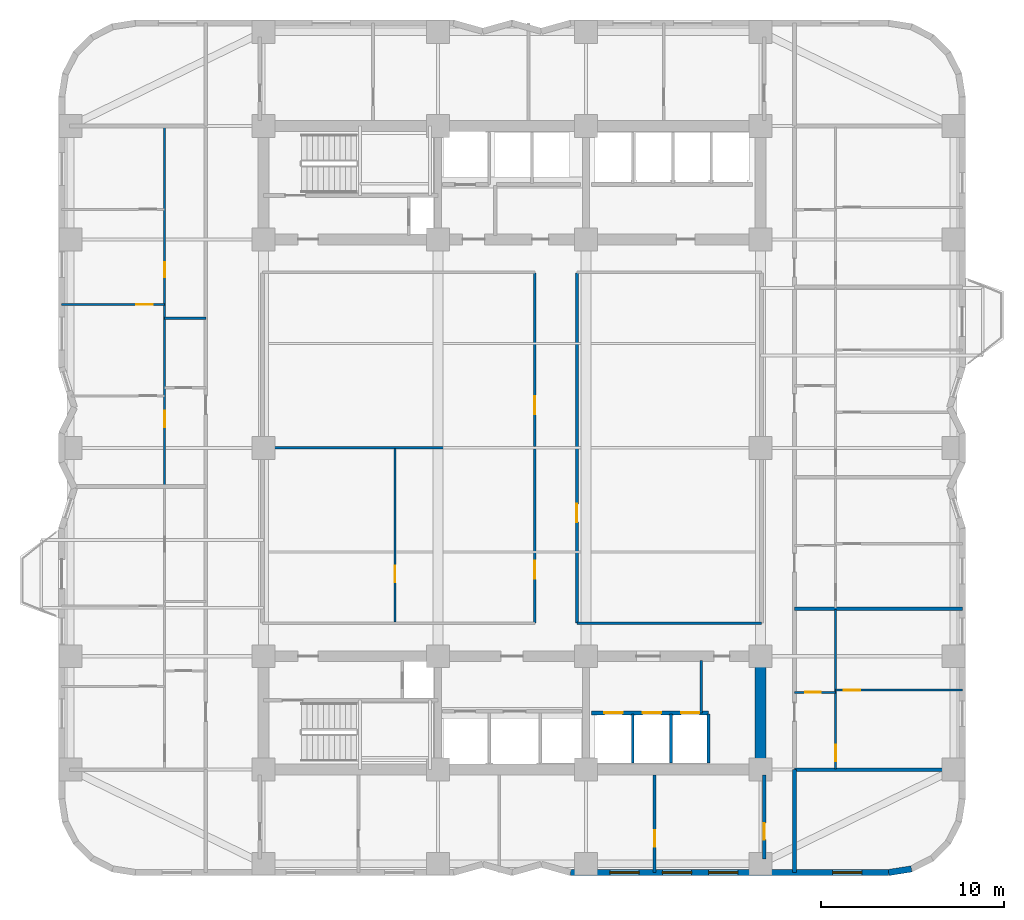
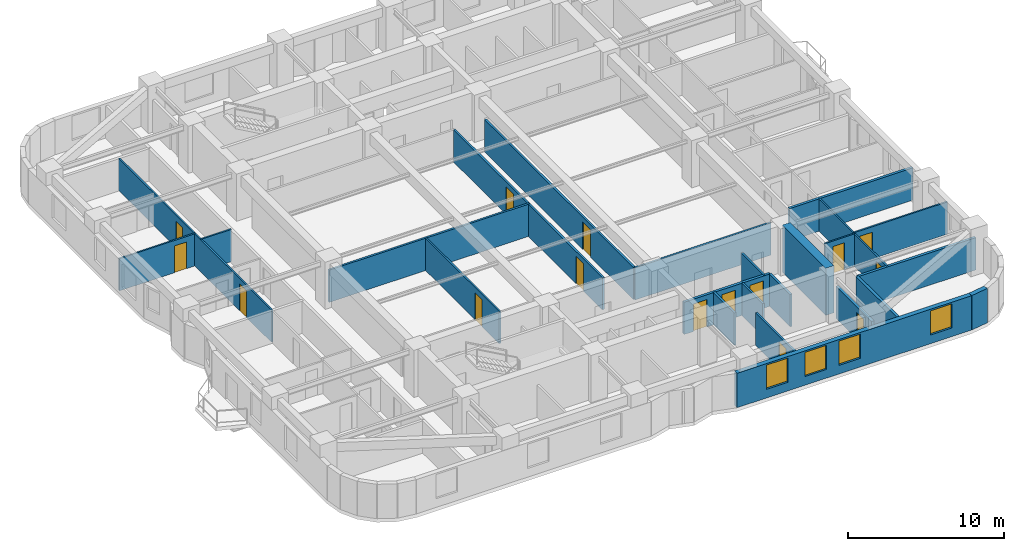
# One storey, part 4 of 9: 24 walls, 15 doors, 4 windows, 19 openings.
"""IFC4 building model written with IfcOpenShell, lengths in metres."""

from ifc_helpers import new_model, si_unit, direction, frame, frame_2d, origin, place, context, subcontext, project, spatial, rectangle, extrude, material, layer, layer_set, type_object, element, fill, save


model = new_model("IFC4")

# Units and contexts
model_context = context("Model", 3, precision=1e-05, world=origin(), true_north=direction((0.0, 1.0)))
body_context = subcontext(model_context, "Body", "Model", "MODEL_VIEW")
ifc_project = project(units=[si_unit("LENGTHUNIT", "METRE"), si_unit("AREAUNIT", "SQUARE_METRE"), si_unit("VOLUMEUNIT", "CUBIC_METRE"), si_unit("PLANEANGLEUNIT", "RADIAN"), si_unit("MASSUNIT", "GRAM", prefix="KILO")], contexts=[model_context])

# Site, building, storey
site_placement = place(None, origin())
site = spatial("IfcSite", under=ifc_project, at=site_placement, CompositionType="ELEMENT")
building_placement = place(site_placement, origin())
building = spatial("IfcBuilding", under=site, at=building_placement, Name="Svetorya Sky Lyceum", CompositionType="ELEMENT")
storey_placement = place(building_placement, frame((0.0, 0.0, 65.800048828125)))
storey = spatial("IfcBuildingStorey", under=building, at=storey_placement, Name="L16", CompositionType="ELEMENT", Elevation=65.800048828125)

# Wall
ifc_material_1 = material(Name="Concrete C60/75", Category="concrete")
ifc_layer_1 = layer(ifc_material_1, 0.60009765625)
ifc_layer_set_1 = layer_set([ifc_layer_1], Name="Concrete C60/75")
wall_type_1 = type_object("IfcWallType", Name="WL-CORE-600", PredefinedType="SHEAR", material=ifc_layer_set_1)
wall_1_placement = place(storey_placement, frame((52.800048828125, 10.89990234375, 0.0), z_axis=(0.0, 0.0, 1.0), x_axis=(0.0, 1.0, 0.0)))
element("IfcWall", 1, at=wall_1_placement, inside=storey, type_object=wall_type_1, Name="L16 SC East Core Shear Wall", PredefinedType="SHEAR", context=body_context, shape_type="SweptSolid", body=[
    extrude(rectangle(XDim=5.60009765625, YDim=0.60009765625, at=frame_2d((2.800048828125, 0.0))), origin(), (0.0, 0.0, 1.0), 3.699951171875),
])

# Wall, openings, windows
ifc_material_2 = material(Name="Putilovo limestone rainscreen on autoclaved cellular masonry", Category="masonry")
ifc_layer_2 = layer(ifc_material_2, 0.340087890625)
ifc_layer_set_2 = layer_set([ifc_layer_2], Name="Putilovo limestone rainscreen on autoclaved cellular masonry")
wall_type_2 = type_object("IfcWallType", Name="WL-EXT-340", PredefinedType="SOLIDWALL", material=ifc_layer_set_2)
wall_2_placement = place(storey_placement, frame((42.39990234375, 4.969970703125, 0.0), z_axis=(0.0, 0.0, 1.0), x_axis=(1.0, 0.0, 0.0)))
wall_2 = element("IfcWall", 2, at=wall_2_placement, inside=storey, type_object=wall_type_2, Name="L16 Limestone Exterior Wall 11M", PredefinedType="SOLIDWALL", context=body_context, shape_type="SweptSolid", body=[
    extrude(rectangle(XDim=17.400146484375, YDim=0.340087890625, at=frame_2d((8.7001953125, 0.0))), origin(), (0.0, 0.0, 1.0), 2.699951171875),
])
opening_1_placement = place(wall_2_placement, frame((2.159912109375, 0.0, 0.679931640625)))
opening_1 = element("IfcOpeningElement", 3, at=opening_1_placement, cuts=wall_2, Name="Opening W-R4", PredefinedType="OPENING", context=body_context, shape_type="SweptSolid", body=[
    extrude(rectangle(XDim=1.60009765625, YDim=1.89990234375, at=frame_2d((0.800048828125, 0.949951171875))), frame((0.0, 0.179931640625, 0.0), z_axis=(0.0, -1.0, 0.0), x_axis=(1.0, 0.0, 0.0)), (0.0, 0.0, 1.0), 0.360107421875),
])
opening_2_placement = place(wall_2_placement, frame((5.030029296875, 0.0, 0.679931640625)))
opening_2 = element("IfcOpeningElement", 4, at=opening_2_placement, cuts=wall_2, Name="Opening W-R4", PredefinedType="OPENING", context=body_context, shape_type="SweptSolid", body=[
    extrude(rectangle(XDim=1.60009765625, YDim=1.89990234375, at=frame_2d((0.800048828125, 0.949951171875))), frame((0.0, 0.179931640625, 0.0), z_axis=(0.0, -1.0, 0.0), x_axis=(1.0, 0.0, 0.0)), (0.0, 0.0, 1.0), 0.360107421875),
])
opening_3_placement = place(wall_2_placement, frame((7.550048828125, 0.0, 0.679931640625)))
opening_3 = element("IfcOpeningElement", 5, at=opening_3_placement, cuts=wall_2, Name="Opening W-R4", PredefinedType="OPENING", context=body_context, shape_type="SweptSolid", body=[
    extrude(rectangle(XDim=1.60009765625, YDim=1.89990234375, at=frame_2d((0.800048828125, 0.949951171875))), frame((0.0, 0.179931640625, 0.0), z_axis=(0.0, -1.0, 0.0), x_axis=(1.0, 0.0, 0.0)), (0.0, 0.0, 1.0), 0.360107421875),
])
opening_4_placement = place(wall_2_placement, frame((14.340087890625, 0.0, 0.679931640625)))
opening_4 = element("IfcOpeningElement", 6, at=opening_4_placement, cuts=wall_2, Name="Opening W-R4", PredefinedType="OPENING", context=body_context, shape_type="SweptSolid", body=[
    extrude(rectangle(XDim=1.60009765625, YDim=1.89990234375, at=frame_2d((0.800048828125, 0.949951171875))), frame((0.0, 0.179931640625, 0.0), z_axis=(0.0, -1.0, 0.0), x_axis=(1.0, 0.0, 0.0)), (0.0, 0.0, 1.0), 0.360107421875),
])
ifc_material_3 = material(Name="Thermally broken aluminium frame with triple low-E glazing", Category="aluminium")
window_type = type_object("IfcWindowType", Name="WN-RES-160", PartitioningType="DOUBLE_PANEL_VERTICAL", PredefinedType="WINDOW", material=ifc_material_3)
window_1_placement = place(opening_1_placement, origin())
window_1 = element("IfcWindow", 7, at=window_1_placement, inside=storey, type_object=window_type, Name="L16 Facade Window W-R4.11M.1", OverallHeight=1.89990234375, OverallWidth=1.60009765625, PartitioningType="SINGLE_PANEL", PredefinedType="WINDOW", context=body_context, shape_type="SweptSolid", body=[
    extrude(rectangle(XDim=1.60009765625, YDim=1.89990234375, at=frame_2d((0.800048828125, 0.949951171875))), frame((0.0, 0.030029296875, 0.0), z_axis=(0.0, -1.0, 0.0), x_axis=(1.0, 0.0, 0.0)), (0.0, 0.0, 1.0), 0.06005859375),
])
fill(opening_1, window_1)
window_2_placement = place(opening_2_placement, origin())
window_2 = element("IfcWindow", 8, at=window_2_placement, inside=storey, type_object=window_type, Name="L16 Facade Window W-R4.11M.2", OverallHeight=1.89990234375, OverallWidth=1.60009765625, PartitioningType="SINGLE_PANEL", PredefinedType="WINDOW", context=body_context, shape_type="SweptSolid", body=[
    extrude(rectangle(XDim=1.60009765625, YDim=1.89990234375, at=frame_2d((0.800048828125, 0.949951171875))), frame((0.0, 0.030029296875, 0.0), z_axis=(0.0, -1.0, 0.0), x_axis=(1.0, 0.0, 0.0)), (0.0, 0.0, 1.0), 0.06005859375),
])
fill(opening_2, window_2)
window_3_placement = place(opening_3_placement, origin())
window_3 = element("IfcWindow", 9, at=window_3_placement, inside=storey, type_object=window_type, Name="L16 Facade Window W-R4.11M.3", OverallHeight=1.89990234375, OverallWidth=1.60009765625, PartitioningType="SINGLE_PANEL", PredefinedType="WINDOW", context=body_context, shape_type="SweptSolid", body=[
    extrude(rectangle(XDim=1.60009765625, YDim=1.89990234375, at=frame_2d((0.800048828125, 0.949951171875))), frame((0.0, 0.030029296875, 0.0), z_axis=(0.0, -1.0, 0.0), x_axis=(1.0, 0.0, 0.0)), (0.0, 0.0, 1.0), 0.06005859375),
])
fill(opening_3, window_3)
window_4_placement = place(opening_4_placement, origin())
window_4 = element("IfcWindow", 10, at=window_4_placement, inside=storey, type_object=window_type, Name="L16 Facade Window W-R4.11M.4", OverallHeight=1.89990234375, OverallWidth=1.60009765625, PartitioningType="SINGLE_PANEL", PredefinedType="WINDOW", context=body_context, shape_type="SweptSolid", body=[
    extrude(rectangle(XDim=1.60009765625, YDim=1.89990234375, at=frame_2d((0.800048828125, 0.949951171875))), frame((0.0, 0.030029296875, 0.0), z_axis=(0.0, -1.0, 0.0), x_axis=(1.0, 0.0, 0.0)), (0.0, 0.0, 1.0), 0.06005859375),
])
fill(opening_4, window_4)

# Wall
wall_3_placement = place(storey_placement, frame((59.800048828125, 4.969970703125, 0.0), z_axis=(0.0, 0.0, 1.0), x_axis=(0.987685918112, 0.15644975923, 0.0)))
element("IfcWall", 11, at=wall_3_placement, inside=storey, type_object=wall_type_2, Name="L16 Limestone Exterior Wall 12M", PredefinedType="SOLIDWALL", context=body_context, shape_type="SweptSolid", body=[
    extrude(rectangle(XDim=1.260986328125, YDim=0.340087890625, at=frame_2d((0.63037109375, 0.0))), origin(), (0.0, 0.0, 1.0), 2.699951171875),
])

# Wall, opening, door
ifc_material_4 = material(Name="Twin-stud galvanized framing with double fireboard", Category="gypsum")
ifc_layer_3 = layer(ifc_material_4, 0.1201171875)
ifc_layer_set_3 = layer_set([ifc_layer_3], Name="Twin-stud galvanized framing with double fireboard")
wall_type_3 = type_object("IfcWallType", Name="WL-PART-120", PredefinedType="PARTITIONING", material=ifc_layer_set_3)
wall_4_placement = place(storey_placement, frame((32.800048828125, 18.659912109375, 0.0), z_axis=(0.0, 0.0, 1.0), x_axis=(0.0, 1.0, 0.0)))
wall_4 = element("IfcWall", 12, at=wall_4_placement, inside=storey, type_object=wall_type_3, Name="L16 Interior Partition CEN-WV1", PredefinedType="PARTITIONING", context=body_context, shape_type="SweptSolid", body=[
    extrude(rectangle(XDim=9.489990234375, YDim=0.1201171875, at=frame_2d((4.7451171875, 0.0))), origin(), (0.0, 0.0, 1.0), 2.530029296875),
])
opening_5_placement = place(wall_4_placement, frame((2.199951171875, 0.0, 0.0)))
opening_5 = element("IfcOpeningElement", 13, at=opening_5_placement, cuts=wall_4, Name="Opening D-RM1", PredefinedType="OPENING", context=body_context, shape_type="SweptSolid", body=[
    extrude(rectangle(XDim=0.89990234375, YDim=2.10009765625, at=frame_2d((0.449951171875, 1.050048828125))), frame((0.0, 0.070068359375, 0.0), z_axis=(0.0, -1.0, 0.0), x_axis=(1.0, 0.0, 0.0)), (0.0, 0.0, 1.0), 0.14013671875),
])
ifc_material_5 = material(Name="Lacquered birch veneer internal door")
door_type_1 = type_object("IfcDoorType", Name="DR-INT-900", OperationType="SINGLE_SWING_LEFT", PredefinedType="DOOR", material=ifc_material_5)
door_1_placement = place(opening_5_placement, origin())
door_1 = element("IfcDoor", 14, at=door_1_placement, inside=storey, type_object=door_type_1, Name="L16 Quiet Study Door", OperationType="SINGLE_SWING_LEFT", OverallHeight=2.10009765625, OverallWidth=0.89990234375, PredefinedType="DOOR", context=body_context, shape_type="SweptSolid", body=[
    extrude(rectangle(XDim=0.89990234375, YDim=2.10009765625, at=frame_2d((0.449951171875, 1.050048828125))), frame((0.0, 0.02490234375, 0.0), z_axis=(0.0, -1.0, 0.0), x_axis=(1.0, 0.0, 0.0)), (0.0, 0.0, 1.0), 0.050048828125),
])
fill(opening_5, door_1)

# Wall
wall_5_placement = place(storey_placement, frame((20.199951171875, 35.2880859375, 0.0), z_axis=(0.0, 0.0, 1.0), x_axis=(1.0, 0.0, 0.0)))
element("IfcWall", 15, at=wall_5_placement, inside=storey, type_object=wall_type_3, Name="L16 Interior Partition W2-WH2", PredefinedType="PARTITIONING", context=body_context, shape_type="SweptSolid", body=[
    extrude(rectangle(XDim=2.25, YDim=0.1201171875, at=frame_2d((1.125, 0.0))), origin(), (0.0, 0.0, 1.0), 2.530029296875),
])

# Wall, opening, door
wall_6_placement = place(storey_placement, frame((14.570068359375, 36.0380859375, 0.0), z_axis=(0.0, 0.0, 1.0), x_axis=(1.0, 0.0, 0.0)))
wall_6 = element("IfcWall", 16, at=wall_6_placement, inside=storey, type_object=wall_type_3, Name="L16 Interior Partition W2-WL2", PredefinedType="PARTITIONING", context=body_context, shape_type="SweptSolid", body=[
    extrude(rectangle(XDim=5.6298828125, YDim=0.1201171875, at=frame_2d((2.81494140625, 0.0))), origin(), (0.0, 0.0, 1.0), 2.530029296875),
])
opening_6_placement = place(wall_6_placement, frame((4.080078125, 0.0, 0.0)))
opening_6 = element("IfcOpeningElement", 17, at=opening_6_placement, cuts=wall_6, Name="Opening D-RM1", PredefinedType="OPENING", context=body_context, shape_type="SweptSolid", body=[
    extrude(rectangle(XDim=0.89990234375, YDim=2.10009765625, at=frame_2d((0.449951171875, 1.050048828125))), frame((0.0, 0.070068359375, 0.0), z_axis=(0.0, -1.0, 0.0), x_axis=(1.0, 0.0, 0.0)), (0.0, 0.0, 1.0), 0.14013671875),
])
door_2_placement = place(opening_6_placement, origin())
door_2 = element("IfcDoor", 18, at=door_2_placement, inside=storey, type_object=door_type_1, Name="Apartment W2 Bedroom 2 Door", OperationType="SINGLE_SWING_LEFT", OverallHeight=2.10009765625, OverallWidth=0.89990234375, PredefinedType="DOOR", context=body_context, shape_type="SweptSolid", body=[
    extrude(rectangle(XDim=0.89990234375, YDim=2.10009765625, at=frame_2d((0.449951171875, 1.050048828125))), frame((0.0, 0.02490234375, 0.0), z_axis=(0.0, -1.0, 0.0), x_axis=(1.0, 0.0, 0.0)), (0.0, 0.0, 1.0), 0.050048828125),
])
fill(opening_6, door_2)

# Wall, openings, doors
wall_7_placement = place(storey_placement, frame((20.199951171875, 26.1279296875, 0.0), z_axis=(0.0, 0.0, 1.0), x_axis=(0.0, 1.0, 0.0)))
wall_7 = element("IfcWall", 19, at=wall_7_placement, inside=storey, type_object=wall_type_3, Name="L16 Interior Partition W2-WV", PredefinedType="PARTITIONING", context=body_context, shape_type="SweptSolid", body=[
    extrude(rectangle(XDim=19.632080078125, YDim=0.1201171875, at=frame_2d((9.81591796875, 0.0))), origin(), (0.0, 0.0, 1.0), 2.530029296875),
])
opening_7_placement = place(wall_7_placement, frame((3.2099609375, 0.0, 0.0)))
opening_7 = element("IfcOpeningElement", 20, at=opening_7_placement, cuts=wall_7, Name="Opening D-RM1", PredefinedType="OPENING", context=body_context, shape_type="SweptSolid", body=[
    extrude(rectangle(XDim=0.89990234375, YDim=2.10009765625, at=frame_2d((0.449951171875, 1.050048828125))), frame((0.0, 0.070068359375, 0.0), z_axis=(0.0, -1.0, 0.0), x_axis=(1.0, 0.0, 0.0)), (0.0, 0.0, 1.0), 0.14013671875),
])
opening_8_placement = place(wall_7_placement, frame((11.392333984375, 0.0, 0.0)))
opening_8 = element("IfcOpeningElement", 21, at=opening_8_placement, cuts=wall_7, Name="Opening D-BT2", PredefinedType="OPENING", context=body_context, shape_type="SweptSolid", body=[
    extrude(rectangle(XDim=0.820068359375, YDim=2.080078125, at=frame_2d((0.41015625, 1.0400390625))), frame((0.0, 0.070068359375, 0.0), z_axis=(0.0, -1.0, 0.0), x_axis=(1.0, 0.0, 0.0)), (0.0, 0.0, 1.0), 0.14013671875),
])
door_3_placement = place(opening_7_placement, origin())
door_3 = element("IfcDoor", 22, at=door_3_placement, inside=storey, type_object=door_type_1, Name="Apartment W2 Living Door", OperationType="SINGLE_SWING_LEFT", OverallHeight=2.10009765625, OverallWidth=0.89990234375, PredefinedType="DOOR", context=body_context, shape_type="SweptSolid", body=[
    extrude(rectangle(XDim=0.89990234375, YDim=2.10009765625, at=frame_2d((0.449951171875, 1.050048828125))), frame((0.0, 0.02490234375, 0.0), z_axis=(0.0, -1.0, 0.0), x_axis=(1.0, 0.0, 0.0)), (0.0, 0.0, 1.0), 0.050048828125),
])
fill(opening_7, door_3)
ifc_material_6 = material(Name="Compact moisture-resistant laminate closet door")
door_type_2 = type_object("IfcDoorType", Name="DR-WET-820", OperationType="SINGLE_SWING_LEFT", PredefinedType="DOOR", material=ifc_material_6)
door_4_placement = place(opening_8_placement, origin())
door_4 = element("IfcDoor", 23, at=door_4_placement, inside=storey, type_object=door_type_2, Name="Apartment W2 Study Door", OperationType="SINGLE_SWING_RIGHT", OverallHeight=2.080078125, OverallWidth=0.820068359375, PredefinedType="DOOR", context=body_context, shape_type="SweptSolid", body=[
    extrude(rectangle(XDim=0.820068359375, YDim=2.080078125, at=frame_2d((0.41015625, 1.0400390625))), frame((0.0, 0.02490234375, 0.0), z_axis=(0.0, -1.0, 0.0), x_axis=(1.0, 0.0, 0.0)), (0.0, 0.0, 1.0), 0.050048828125),
])
fill(opening_8, door_4)

# Wall, opening, door
wall_8_placement = place(storey_placement, frame((54.64990234375, 14.820068359375, 0.0), z_axis=(0.0, 0.0, 1.0), x_axis=(1.0, 0.0, 0.0)))
wall_8 = element("IfcWall", 24, at=wall_8_placement, inside=storey, type_object=wall_type_3, Name="L16 Interior Partition E1-WH1", PredefinedType="PARTITIONING", context=body_context, shape_type="SweptSolid", body=[
    extrude(rectangle(XDim=2.25, YDim=0.1201171875, at=frame_2d((1.125, 0.0))), origin(), (0.0, 0.0, 1.0), 2.530029296875),
])
opening_9_placement = place(wall_8_placement, frame((0.60009765625, 0.0, 0.0)))
opening_9 = element("IfcOpeningElement", 25, at=opening_9_placement, cuts=wall_8, Name="Opening D-BT1", PredefinedType="OPENING", context=body_context, shape_type="SweptSolid", body=[
    extrude(rectangle(XDim=0.85009765625, YDim=2.10009765625, at=frame_2d((0.425048828125, 1.050048828125))), frame((0.0, 0.070068359375, 0.0), z_axis=(0.0, -1.0, 0.0), x_axis=(1.0, 0.0, 0.0)), (0.0, 0.0, 1.0), 0.14013671875),
])
ifc_material_7 = material(Name="Moisture-resistant laminate bathroom door")
door_type_3 = type_object("IfcDoorType", Name="DR-WET-850", OperationType="SINGLE_SWING_LEFT", PredefinedType="DOOR", material=ifc_material_7)
door_5_placement = place(opening_9_placement, origin())
door_5 = element("IfcDoor", 26, at=door_5_placement, inside=storey, type_object=door_type_3, Name="Apartment E1 Bathroom Door", OperationType="SINGLE_SWING_RIGHT", OverallHeight=2.10009765625, OverallWidth=0.85009765625, PredefinedType="DOOR", context=body_context, shape_type="SweptSolid", body=[
    extrude(rectangle(XDim=0.85009765625, YDim=2.10009765625, at=frame_2d((0.425048828125, 1.050048828125))), frame((0.0, 0.02490234375, 0.0), z_axis=(0.0, -1.0, 0.0), x_axis=(1.0, 0.0, 0.0)), (0.0, 0.0, 1.0), 0.050048828125),
])
fill(opening_9, door_5)

wall_9_placement = place(storey_placement, frame((56.89990234375, 14.949951171875, 0.0), z_axis=(0.0, 0.0, 1.0), x_axis=(1.0, 0.0, 0.0)))
wall_9 = element("IfcWall", 27, at=wall_9_placement, inside=storey, type_object=wall_type_3, Name="L16 Interior Partition E1-WL1", PredefinedType="PARTITIONING", context=body_context, shape_type="SweptSolid", body=[
    extrude(rectangle(XDim=6.93017578125, YDim=0.1201171875, at=frame_2d((3.465087890625, 0.0))), origin(), (0.0, 0.0, 1.0), 2.530029296875),
])
opening_10_placement = place(wall_9_placement, frame((0.449951171875, 0.0, 0.0)))
opening_10 = element("IfcOpeningElement", 28, at=opening_10_placement, cuts=wall_9, Name="Opening D-RM1", PredefinedType="OPENING", context=body_context, shape_type="SweptSolid", body=[
    extrude(rectangle(XDim=0.89990234375, YDim=2.10009765625, at=frame_2d((0.449951171875, 1.050048828125))), frame((0.0, 0.070068359375, 0.0), z_axis=(0.0, -1.0, 0.0), x_axis=(1.0, 0.0, 0.0)), (0.0, 0.0, 1.0), 0.14013671875),
])
door_6_placement = place(opening_10_placement, origin())
door_6 = element("IfcDoor", 29, at=door_6_placement, inside=storey, type_object=door_type_1, Name="Apartment E1 Bedroom 1 Door", OperationType="SINGLE_SWING_RIGHT", OverallHeight=2.10009765625, OverallWidth=0.89990234375, PredefinedType="DOOR", context=body_context, shape_type="SweptSolid", body=[
    extrude(rectangle(XDim=0.89990234375, YDim=2.10009765625, at=frame_2d((0.449951171875, 1.050048828125))), frame((0.0, 0.02490234375, 0.0), z_axis=(0.0, -1.0, 0.0), x_axis=(1.0, 0.0, 0.0)), (0.0, 0.0, 1.0), 0.050048828125),
])
fill(opening_10, door_6)

wall_10_placement = place(storey_placement, frame((56.89990234375, 10.639892578125, 0.0), z_axis=(0.0, 0.0, 1.0), x_axis=(0.0, 1.0, 0.0)))
wall_10 = element("IfcWall", 30, at=wall_10_placement, inside=storey, type_object=wall_type_3, Name="L16 Interior Partition E1-WV", PredefinedType="PARTITIONING", context=body_context, shape_type="SweptSolid", body=[
    extrude(rectangle(XDim=8.72021484375, YDim=0.1201171875, at=frame_2d((4.360107421875, 0.0))), origin(), (0.0, 0.0, 1.0), 2.530029296875),
])
opening_11_placement = place(wall_10_placement, frame((0.409912109375, 0.0, 0.0)))
opening_11 = element("IfcOpeningElement", 31, at=opening_11_placement, cuts=wall_10, Name="Opening D-RM1", PredefinedType="OPENING", context=body_context, shape_type="SweptSolid", body=[
    extrude(rectangle(XDim=0.89990234375, YDim=2.10009765625, at=frame_2d((0.449951171875, 1.050048828125))), frame((0.0, 0.070068359375, 0.0), z_axis=(0.0, -1.0, 0.0), x_axis=(1.0, 0.0, 0.0)), (0.0, 0.0, 1.0), 0.14013671875),
])
door_7_placement = place(opening_11_placement, origin())
door_7 = element("IfcDoor", 32, at=door_7_placement, inside=storey, type_object=door_type_1, Name="Apartment E1 Living Door", OperationType="SINGLE_SWING_LEFT", OverallHeight=2.10009765625, OverallWidth=0.89990234375, PredefinedType="DOOR", context=body_context, shape_type="SweptSolid", body=[
    extrude(rectangle(XDim=0.89990234375, YDim=2.10009765625, at=frame_2d((0.449951171875, 1.050048828125))), frame((0.0, 0.02490234375, 0.0), z_axis=(0.0, -1.0, 0.0), x_axis=(1.0, 0.0, 0.0)), (0.0, 0.0, 1.0), 0.050048828125),
])
fill(opening_11, door_7)

# Walls
ifc_material_8 = material(Name="Autoclaved cellular masonry blockwork with acoustic render", Category="masonry")
ifc_layer_4 = layer(ifc_material_8, 0.14990234375)
ifc_layer_set_4 = layer_set([ifc_layer_4], Name="Autoclaved cellular masonry blockwork with acoustic render")
wall_type_4 = type_object("IfcWallType", Name="WL-PART-150", PredefinedType="PARTITIONING", material=ifc_layer_set_4)
for number, where, z_axis, x_axis, name in (
    (33, (45.800048828125, 10.949951171875, 0.0), (0.0, 0.0, 1.0), (0.0, 1.0, 0.0), "L16 Interior Partition SC-PL-DIV1"),
    (34, (47.89990234375, 10.949951171875, 0.0), (0.0, 0.0, 1.0), (0.0, 1.0, 0.0), "L16 Interior Partition SC-PL-DIV2"),
    (35, (49.949951171875, 10.949951171875, 0.0), (0.0, 0.0, 1.0), (0.0, 1.0, 0.0), "L16 Interior Partition SC-PL-END"),
):
    element("IfcWall", number, at=place(storey_placement, frame(where, z_axis=z_axis, x_axis=x_axis)), inside=storey, type_object=wall_type_4, Name=name, PredefinedType="PARTITIONING", context=body_context, shape_type="SweptSolid", body=[
        extrude(rectangle(XDim=2.699951171875, YDim=0.14990234375, at=frame_2d((1.35009765625, 0.0))), origin(), (0.0, 0.0, 1.0), 2.530029296875),
    ])
wall_11_placement = place(storey_placement, frame((49.550048828125, 13.699951171875, 0.0), z_axis=(0.0, 0.0, 1.0), x_axis=(0.0, 1.0, 0.0)))
element("IfcWall", 36, at=wall_11_placement, inside=storey, type_object=wall_type_4, Name="L16 Interior Partition SC-AUX-V", PredefinedType="PARTITIONING", context=body_context, shape_type="SweptSolid", body=[
    extrude(rectangle(XDim=2.880126953125, YDim=0.14990234375, at=frame_2d((1.43994140625, 0.0))), origin(), (0.0, 0.0, 1.0), 2.530029296875),
])
wall_12_placement = place(storey_placement, frame((42.75, 18.60009765625, 0.0), z_axis=(0.0, 0.0, 1.0), x_axis=(1.0, 0.0, 0.0)))
element("IfcWall", 37, at=wall_12_placement, inside=storey, type_object=wall_type_4, Name="L16 Interior Partition CS-MID-E", PredefinedType="PARTITIONING", context=body_context, shape_type="SweptSolid", body=[
    extrude(rectangle(XDim=10.10009765625, YDim=0.14990234375, at=frame_2d((5.050048828125, 0.0))), origin(), (0.0, 0.0, 1.0), 2.530029296875),
])
wall_13_placement = place(storey_placement, frame((25.60009765625, 28.199951171875, 0.0), z_axis=(0.0, 0.0, 1.0), x_axis=(1.0, 0.0, 0.0)))
element("IfcWall", 38, at=wall_13_placement, inside=storey, type_object=wall_type_4, Name="L16 Interior Partition CEN-HW", PredefinedType="PARTITIONING", context=body_context, shape_type="SweptSolid", body=[
    extrude(rectangle(XDim=14.869873046875, YDim=0.14990234375, at=frame_2d((7.43505859375, 0.0))), origin(), (0.0, 0.0, 1.0), 2.530029296875),
])

# Wall, openings, doors
wall_14_placement = place(storey_placement, frame((40.449951171875, 18.6298828125, 0.0), z_axis=(0.0, 0.0, 1.0), x_axis=(0.0, 1.0, 0.0)))
wall_14 = element("IfcWall", 39, at=wall_14_placement, inside=storey, type_object=wall_type_4, Name="L16 Interior Partition CEN-VW", PredefinedType="PARTITIONING", context=body_context, shape_type="SweptSolid", body=[
    extrude(rectangle(XDim=19.14013671875, YDim=0.14990234375, at=frame_2d((9.570068359375, 0.0))), origin(), (0.0, 0.0, 1.0), 2.530029296875),
])
opening_12_placement = place(wall_14_placement, frame((2.39990234375, 0.0, 0.0)))
opening_12 = element("IfcOpeningElement", 40, at=opening_12_placement, cuts=wall_14, Name="Opening D-RM2", PredefinedType="OPENING", context=body_context, shape_type="SweptSolid", body=[
    extrude(rectangle(XDim=1.0, YDim=2.14990234375, at=frame_2d((0.5, 1.074951171875))), frame((0.0, 0.0849609375, 0.0), z_axis=(0.0, -1.0, 0.0), x_axis=(1.0, 0.0, 0.0)), (0.0, 0.0, 1.0), 0.169921875),
])
opening_13_placement = place(wall_14_placement, frame((11.39990234375, 0.0, 0.0)))
opening_13 = element("IfcOpeningElement", 41, at=opening_13_placement, cuts=wall_14, Name="Opening D-RM2", PredefinedType="OPENING", context=body_context, shape_type="SweptSolid", body=[
    extrude(rectangle(XDim=1.0, YDim=2.14990234375, at=frame_2d((0.5, 1.074951171875))), frame((0.0, 0.0849609375, 0.0), z_axis=(0.0, -1.0, 0.0), x_axis=(1.0, 0.0, 0.0)), (0.0, 0.0, 1.0), 0.169921875),
])
ifc_material_9 = material(Name="Solid-core oak acoustic room door")
door_type_4 = type_object("IfcDoorType", Name="DR-INT-1000", OperationType="SINGLE_SWING_LEFT", PredefinedType="DOOR", material=ifc_material_9)
door_8_placement = place(opening_12_placement, origin())
door_8 = element("IfcDoor", 42, at=door_8_placement, inside=storey, type_object=door_type_4, Name="L16 Study Door", OperationType="SINGLE_SWING_LEFT", OverallHeight=2.14990234375, OverallWidth=1.0, PredefinedType="DOOR", context=body_context, shape_type="SweptSolid", body=[
    extrude(rectangle(XDim=1.0, YDim=2.14990234375, at=frame_2d((0.5, 1.074951171875))), frame((0.0, 0.02490234375, 0.0), z_axis=(0.0, -1.0, 0.0), x_axis=(1.0, 0.0, 0.0)), (0.0, 0.0, 1.0), 0.050048828125),
])
fill(opening_12, door_8)
door_9_placement = place(opening_13_placement, origin())
door_9 = element("IfcDoor", 43, at=door_9_placement, inside=storey, type_object=door_type_4, Name="L16 Focus Door", OperationType="SINGLE_SWING_RIGHT", OverallHeight=2.14990234375, OverallWidth=1.0, PredefinedType="DOOR", context=body_context, shape_type="SweptSolid", body=[
    extrude(rectangle(XDim=1.0, YDim=2.14990234375, at=frame_2d((0.5, 1.074951171875))), frame((0.0, 0.02490234375, 0.0), z_axis=(0.0, -1.0, 0.0), x_axis=(1.0, 0.0, 0.0)), (0.0, 0.0, 1.0), 0.050048828125),
])
fill(opening_13, door_9)

# Wall, opening, door
wall_15_placement = place(storey_placement, frame((42.75, 18.6298828125, 0.0), z_axis=(0.0, 0.0, 1.0), x_axis=(0.0, 1.0, 0.0)))
wall_15 = element("IfcWall", 44, at=wall_15_placement, inside=storey, type_object=wall_type_4, Name="L16 Interior Partition CEN-VE", PredefinedType="PARTITIONING", context=body_context, shape_type="SweptSolid", body=[
    extrude(rectangle(XDim=19.14013671875, YDim=0.14990234375, at=frame_2d((9.570068359375, 0.0))), origin(), (0.0, 0.0, 1.0), 2.530029296875),
])
opening_14_placement = place(wall_15_placement, frame((5.5, 0.0, 0.0)))
opening_14 = element("IfcOpeningElement", 45, at=opening_14_placement, cuts=wall_15, Name="Opening D-RM2", PredefinedType="OPENING", context=body_context, shape_type="SweptSolid", body=[
    extrude(rectangle(XDim=1.0, YDim=2.14990234375, at=frame_2d((0.5, 1.074951171875))), frame((0.0, 0.0849609375, 0.0), z_axis=(0.0, -1.0, 0.0), x_axis=(1.0, 0.0, 0.0)), (0.0, 0.0, 1.0), 0.169921875),
])
door_10_placement = place(opening_14_placement, origin())
door_10 = element("IfcDoor", 46, at=door_10_placement, inside=storey, type_object=door_type_4, Name="L16 East Hall Door", OperationType="SINGLE_SWING_RIGHT", OverallHeight=2.14990234375, OverallWidth=1.0, PredefinedType="DOOR", context=body_context, shape_type="SweptSolid", body=[
    extrude(rectangle(XDim=1.0, YDim=2.14990234375, at=frame_2d((0.5, 1.074951171875))), frame((0.0, 0.02490234375, 0.0), z_axis=(0.0, -1.0, 0.0), x_axis=(1.0, 0.0, 0.0)), (0.0, 0.0, 1.0), 0.050048828125),
])
fill(opening_14, door_10)

wall_16_placement = place(storey_placement, frame((47.0, 4.969970703125, 0.0), z_axis=(0.0, 0.0, 1.0), x_axis=(0.0, 1.0, 0.0)))
wall_16 = element("IfcWall", 47, at=wall_16_placement, inside=storey, type_object=wall_type_4, Name="L16 Interior Partition S4-D3", PredefinedType="PARTITIONING", context=body_context, shape_type="SweptSolid", body=[
    extrude(rectangle(XDim=5.330078125, YDim=0.14990234375, at=frame_2d((2.6650390625, 0.0))), origin(), (0.0, 0.0, 1.0), 2.530029296875),
])
opening_15_placement = place(wall_16_placement, frame((1.39990234375, 0.0, 0.0)))
opening_15 = element("IfcOpeningElement", 48, at=opening_15_placement, cuts=wall_16, Name="Opening D-RM1", PredefinedType="OPENING", context=body_context, shape_type="SweptSolid", body=[
    extrude(rectangle(XDim=0.89990234375, YDim=2.10009765625, at=frame_2d((0.449951171875, 1.050048828125))), frame((0.0, 0.0849609375, 0.0), z_axis=(0.0, -1.0, 0.0), x_axis=(1.0, 0.0, 0.0)), (0.0, 0.0, 1.0), 0.169921875),
])
door_11_placement = place(opening_15_placement, origin())
door_11 = element("IfcDoor", 49, at=door_11_placement, inside=storey, type_object=door_type_1, Name="L16 South Suite Door 3", OperationType="SINGLE_SWING_LEFT", OverallHeight=2.10009765625, OverallWidth=0.89990234375, PredefinedType="DOOR", context=body_context, shape_type="SweptSolid", body=[
    extrude(rectangle(XDim=0.89990234375, YDim=2.10009765625, at=frame_2d((0.449951171875, 1.050048828125))), frame((0.0, 0.02490234375, 0.0), z_axis=(0.0, -1.0, 0.0), x_axis=(1.0, 0.0, 0.0)), (0.0, 0.0, 1.0), 0.050048828125),
])
fill(opening_15, door_11)

# Wall, openings, doors
ifc_material_10 = material(Name="Autoclaved cellular masonry blockwork with gypsum plaster", Category="masonry")
ifc_layer_5 = layer(ifc_material_10, 0.199951171875)
ifc_layer_set_5 = layer_set([ifc_layer_5], Name="Autoclaved cellular masonry blockwork with gypsum plaster")
wall_type_5 = type_object("IfcWallType", Name="WL-PART-200", PredefinedType="PARTITIONING", material=ifc_layer_set_5)
wall_17_placement = place(storey_placement, frame((43.550048828125, 13.699951171875, 0.0), z_axis=(0.0, 0.0, 1.0), x_axis=(1.0, 0.0, 0.0)))
wall_17 = element("IfcWall", 50, at=wall_17_placement, inside=storey, type_object=wall_type_5, Name="L16 Interior Partition SC-PLW", PredefinedType="PARTITIONING", context=body_context, shape_type="SweptSolid", body=[
    extrude(rectangle(XDim=6.39990234375, YDim=0.199951171875, at=frame_2d((3.199951171875, 0.0))), origin(), (0.0, 0.0, 1.0), 2.530029296875),
])
opening_16_placement = place(wall_17_placement, frame((0.699951171875, 0.0, 0.0)))
opening_16 = element("IfcOpeningElement", 51, at=opening_16_placement, cuts=wall_17, Name="Opening LD-P1", PredefinedType="OPENING", context=body_context, shape_type="SweptSolid", body=[
    extrude(rectangle(XDim=1.0, YDim=2.14990234375, at=frame_2d((0.5, 1.074951171875))), frame((0.0, 0.10986328125, 0.0), z_axis=(0.0, -1.0, 0.0), x_axis=(1.0, 0.0, 0.0)), (0.0, 0.0, 1.0), 0.219970703125),
])
opening_17_placement = place(wall_17_placement, frame((2.800048828125, 0.0, 0.0)))
opening_17 = element("IfcOpeningElement", 52, at=opening_17_placement, cuts=wall_17, Name="Opening LD-P1", PredefinedType="OPENING", context=body_context, shape_type="SweptSolid", body=[
    extrude(rectangle(XDim=1.0, YDim=2.14990234375, at=frame_2d((0.5, 1.074951171875))), frame((0.0, 0.10986328125, 0.0), z_axis=(0.0, -1.0, 0.0), x_axis=(1.0, 0.0, 0.0)), (0.0, 0.0, 1.0), 0.219970703125),
])
opening_18_placement = place(wall_17_placement, frame((4.89990234375, 0.0, 0.0)))
opening_18 = element("IfcOpeningElement", 53, at=opening_18_placement, cuts=wall_17, Name="Opening LD-P1", PredefinedType="OPENING", context=body_context, shape_type="SweptSolid", body=[
    extrude(rectangle(XDim=1.0, YDim=2.14990234375, at=frame_2d((0.5, 1.074951171875))), frame((0.0, 0.10986328125, 0.0), z_axis=(0.0, -1.0, 0.0), x_axis=(1.0, 0.0, 0.0)), (0.0, 0.0, 1.0), 0.219970703125),
])
ifc_material_11 = material(Name="Champagne-anodized stainless passenger lift landing door")
door_type_5 = type_object("IfcDoorType", Name="DR-LIFT-1000", OperationType="SLIDING_TO_LEFT", PredefinedType="DOOR", material=ifc_material_11)
door_12_placement = place(opening_16_placement, origin())
door_12 = element("IfcDoor", 54, at=door_12_placement, inside=storey, type_object=door_type_5, Name="L16 Passenger Lift PL1 Landing Door", OperationType="SLIDING_TO_LEFT", OverallHeight=2.14990234375, OverallWidth=1.0, PredefinedType="DOOR", context=body_context, shape_type="SweptSolid", body=[
    extrude(rectangle(XDim=1.0, YDim=2.14990234375, at=frame_2d((0.5, 1.074951171875))), frame((0.0, 0.02490234375, 0.0), z_axis=(0.0, -1.0, 0.0), x_axis=(1.0, 0.0, 0.0)), (0.0, 0.0, 1.0), 0.050048828125),
])
fill(opening_16, door_12)
door_13_placement = place(opening_17_placement, origin())
door_13 = element("IfcDoor", 55, at=door_13_placement, inside=storey, type_object=door_type_5, Name="L16 Passenger Lift PL2 Landing Door", OperationType="SLIDING_TO_LEFT", OverallHeight=2.14990234375, OverallWidth=1.0, PredefinedType="DOOR", context=body_context, shape_type="SweptSolid", body=[
    extrude(rectangle(XDim=1.0, YDim=2.14990234375, at=frame_2d((0.5, 1.074951171875))), frame((0.0, 0.02490234375, 0.0), z_axis=(0.0, -1.0, 0.0), x_axis=(1.0, 0.0, 0.0)), (0.0, 0.0, 1.0), 0.050048828125),
])
fill(opening_17, door_13)
door_14_placement = place(opening_18_placement, origin())
door_14 = element("IfcDoor", 56, at=door_14_placement, inside=storey, type_object=door_type_5, Name="L16 Passenger Lift PL3 Landing Door", OperationType="SLIDING_TO_LEFT", OverallHeight=2.14990234375, OverallWidth=1.0, PredefinedType="DOOR", context=body_context, shape_type="SweptSolid", body=[
    extrude(rectangle(XDim=1.0, YDim=2.14990234375, at=frame_2d((0.5, 1.074951171875))), frame((0.0, 0.02490234375, 0.0), z_axis=(0.0, -1.0, 0.0), x_axis=(1.0, 0.0, 0.0)), (0.0, 0.0, 1.0), 0.050048828125),
])
fill(opening_18, door_14)

# Walls
wall_18_placement = place(storey_placement, frame((54.64990234375, 19.39990234375, 0.0), z_axis=(0.0, 0.0, 1.0), x_axis=(1.0, 0.0, 0.0)))
element("IfcWall", 57, at=wall_18_placement, inside=storey, type_object=wall_type_5, Name="L16 Interior Partition E-PARTY-1", PredefinedType="PARTITIONING", context=body_context, shape_type="SweptSolid", body=[
    extrude(rectangle(XDim=9.18017578125, YDim=0.199951171875, at=frame_2d((4.590087890625, 0.0))), origin(), (0.0, 0.0, 1.0), 2.530029296875),
])
wall_19_placement = place(storey_placement, frame((54.64990234375, 10.60009765625, 0.0), z_axis=(0.0, 0.0, 1.0), x_axis=(1.0, 0.0, 0.0)))
element("IfcWall", 58, at=wall_19_placement, inside=storey, type_object=wall_type_5, Name="L16 Interior Partition E-CAP-S", PredefinedType="PARTITIONING", context=body_context, shape_type="SweptSolid", body=[
    extrude(rectangle(XDim=8.760009765625, YDim=0.199951171875, at=frame_2d((4.3798828125, 0.0))), origin(), (0.0, 0.0, 1.0), 2.530029296875),
])
wall_20_placement = place(storey_placement, frame((54.64990234375, 4.969970703125, 0.0), z_axis=(0.0, 0.0, 1.0), x_axis=(0.0, 1.0, 0.0)))
element("IfcWall", 59, at=wall_20_placement, inside=storey, type_object=wall_type_5, Name="L16 Interior Partition EC-SE-END", PredefinedType="PARTITIONING", context=body_context, shape_type="SweptSolid", body=[
    extrude(rectangle(XDim=5.630126953125, YDim=0.199951171875, at=frame_2d((2.81494140625, 0.0))), origin(), (0.0, 0.0, 1.0), 2.530029296875),
])

# Wall, opening, door
wall_21_placement = place(storey_placement, frame((53.0, 5.719970703125, 0.0), z_axis=(0.0, 0.0, 1.0), x_axis=(0.0, 1.0, 0.0)))
wall_21 = element("IfcWall", 60, at=wall_21_placement, inside=storey, type_object=wall_type_5, Name="L16 Interior Partition S4-EE", PredefinedType="PARTITIONING", context=body_context, shape_type="SweptSolid", body=[
    extrude(rectangle(XDim=4.580078125, YDim=0.199951171875, at=frame_2d((2.2900390625, 0.0))), origin(), (0.0, 0.0, 1.0), 2.530029296875),
])
opening_19_placement = place(wall_21_placement, frame((1.050048828125, 0.0, 0.0)))
opening_19 = element("IfcOpeningElement", 61, at=opening_19_placement, cuts=wall_21, Name="Opening D-RM1", PredefinedType="OPENING", context=body_context, shape_type="SweptSolid", body=[
    extrude(rectangle(XDim=0.89990234375, YDim=2.10009765625, at=frame_2d((0.449951171875, 1.050048828125))), frame((0.0, 0.10986328125, 0.0), z_axis=(0.0, -1.0, 0.0), x_axis=(1.0, 0.0, 0.0)), (0.0, 0.0, 1.0), 0.219970703125),
])
door_15_placement = place(opening_19_placement, origin())
door_15 = element("IfcDoor", 62, at=door_15_placement, inside=storey, type_object=door_type_1, Name="L16 SE Meeting Door", OperationType="SINGLE_SWING_RIGHT", OverallHeight=2.10009765625, OverallWidth=0.89990234375, PredefinedType="DOOR", context=body_context, shape_type="SweptSolid", body=[
    extrude(rectangle(XDim=0.89990234375, YDim=2.10009765625, at=frame_2d((0.449951171875, 1.050048828125))), frame((0.0, 0.02490234375, 0.0), z_axis=(0.0, -1.0, 0.0), x_axis=(1.0, 0.0, 0.0)), (0.0, 0.0, 1.0), 0.050048828125),
])
fill(opening_19, door_15)

save(model, "model.ifc")
